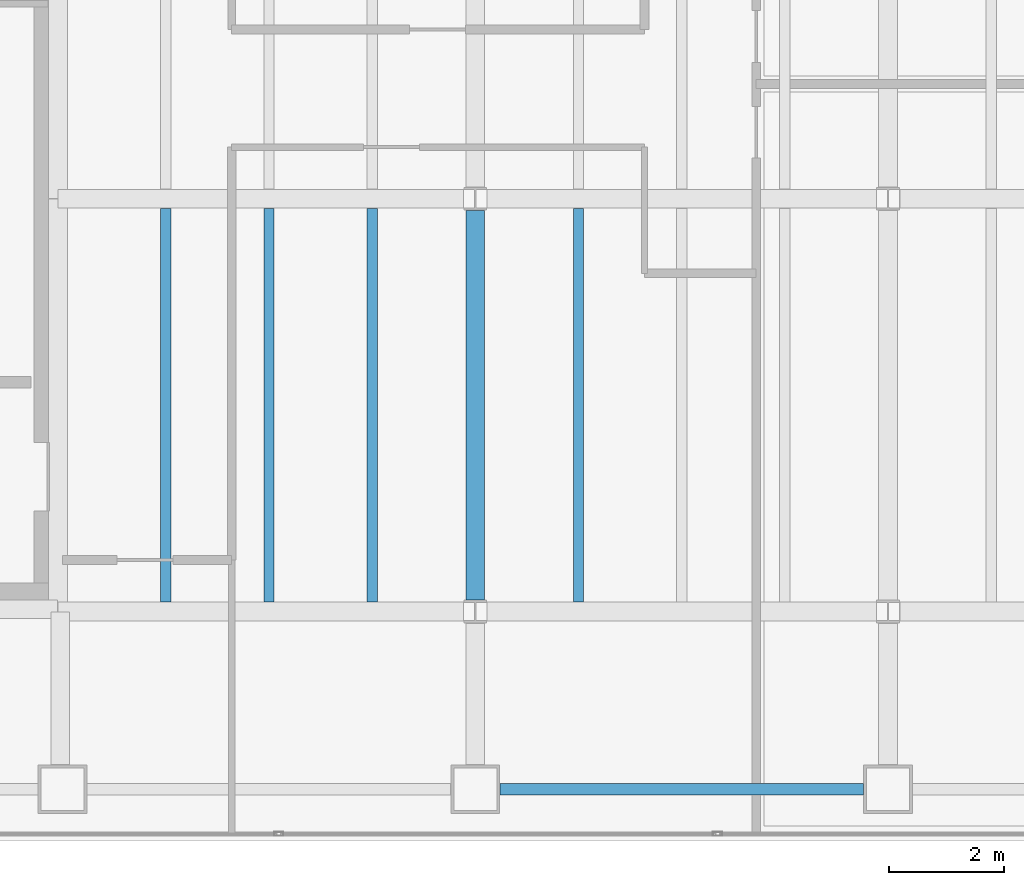
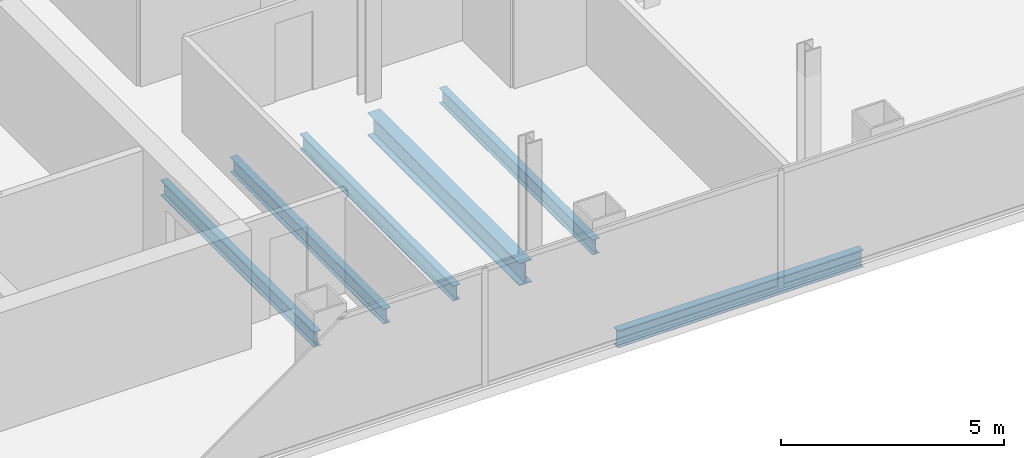
# One storey, part 5 of 23: 6 beams.
"""IFC4 building model written with IfcOpenShell, lengths in metres."""

from ifc_helpers import new_model, si_unit, direction, frame, origin, origin_2d, place, context, subcontext, project, spatial, i_section, extrude, material, material_profile, profile_set, type_object, element, save


model = new_model("IFC4")

# Units and contexts
model_context = context("Model", 3, precision=1e-05, world=origin(), true_north=direction((0.0, 1.0)))
body_context = subcontext(model_context, "Body", "Model", "MODEL_VIEW")
ifc_project = project(units=[si_unit("LENGTHUNIT", "METRE"), si_unit("AREAUNIT", "SQUARE_METRE"), si_unit("VOLUMEUNIT", "CUBIC_METRE"), si_unit("PLANEANGLEUNIT", "RADIAN"), si_unit("MASSUNIT", "GRAM", prefix="KILO")], contexts=[model_context])

# Site, building, storey
site_placement = place(None, origin())
site = spatial("IfcSite", under=ifc_project, at=site_placement, CompositionType="ELEMENT")
building_placement = place(site_placement, origin())
building = spatial("IfcBuilding", under=site, at=building_placement, Name="Cobrela Telecom Tower", CompositionType="ELEMENT")
storey_placement = place(building_placement, frame((0.0, 0.0, 176.75)))
storey = spatial("IfcBuildingStorey", under=building, at=storey_placement, Name="L44", CompositionType="ELEMENT", Elevation=176.75)

# Beams
ifc_material = material(Name="Steel ASTM A992 Grade 50", Category="steel")
ifc_material_profile_1 = material_profile(ifc_material, i_section(OverallWidth=0.327880859375, OverallDepth=0.6220703125, WebThickness=0.015380859375, FlangeThickness=0.0244140625, FilletRadius=0.014892578125, at=origin_2d()), Name="W24X131")
ifc_profile_set_1 = profile_set([ifc_material_profile_1], Name="Steel ASTM A992 Grade 50")
beam_type_1 = type_object("IfcBeamType", Name="BM-GIRD-06", PredefinedType="USERDEFINED", material=ifc_profile_set_1)
beam_1_placement = place(storey_placement, frame((21.60009765625, 7.404541015625, -0.571044921875), z_axis=(0.0, 1.0, 0.0), x_axis=(-1.0, 0.0, 0.0)))
element("IfcBeam", 1, at=beam_1_placement, inside=storey, type_object=beam_type_1, Name="L44 Primary Girder Y33", ObjectType="GIRDER", PredefinedType="USERDEFINED", context=body_context, shape_type="SweptSolid", body=[
    extrude(i_section(OverallWidth=0.327880859375, OverallDepth=0.6220703125, WebThickness=0.015380859375, FlangeThickness=0.0244140625, FilletRadius=0.014892578125, at=origin_2d()), origin(), (0.0, 0.0, 1.0), 6.791015625),
])
ifc_material_profile_2 = material_profile(ifc_material, i_section(OverallWidth=0.179931640625, OverallDepth=0.4169921875, WebThickness=0.010986328125, FlangeThickness=0.01806640625, FilletRadius=0.011962890625, at=origin_2d()), Name="W16X57")
ifc_profile_set_2 = profile_set([ifc_material_profile_2], Name="Steel ASTM A992 Grade 50")
beam_type_2 = type_object("IfcBeamType", Name="BM-JOIST-04", PredefinedType="JOIST", material=ifc_profile_set_2)
for number, where, z_axis, x_axis, name in (
    (2, (16.199951171875, 7.368896484375, -0.468505859375), (0.0, 1.0, 0.0), (-1.0, 0.0, 0.0), "L44 Secondary Composite Floor Beam J01"),
    (3, (18.0, 7.368896484375, -0.468505859375), (0.0, 1.0, 0.0), (-1.0, 0.0, 0.0), "L44 Secondary Composite Floor Beam J05"),
    (4, (19.800048828125, 7.368896484375, -0.468505859375), (0.0, 1.0, 0.0), (-1.0, 0.0, 0.0), "L44 Secondary Composite Floor Beam J09"),
    (5, (23.39990234375, 7.368896484375, -0.468505859375), (0.0, 1.0, 0.0), (-1.0, 0.0, 0.0), "L44 Secondary Composite Floor Beam J13"),
):
    element("IfcBeam", number, at=place(storey_placement, frame(where, z_axis=z_axis, x_axis=x_axis)), inside=storey, type_object=beam_type_2, Name=name, PredefinedType="JOIST", context=body_context, shape_type="SweptSolid", body=[
        extrude(i_section(OverallWidth=0.179931640625, OverallDepth=0.4169921875, WebThickness=0.010986328125, FlangeThickness=0.01806640625, FilletRadius=0.011962890625, at=origin_2d()), origin(), (0.0, 0.0, 1.0), 6.862060546875),
    ])
ifc_material_profile_3 = material_profile(ifc_material, i_section(OverallWidth=0.193115234375, OverallDepth=0.467041015625, WebThickness=0.011474609375, FlangeThickness=0.01904296875, FilletRadius=0.012939453125, at=origin_2d()), Name="W18X65")
ifc_profile_set_3 = profile_set([ifc_material_profile_3], Name="Steel ASTM A992 Grade 50")
beam_type_3 = type_object("IfcBeamType", Name="BM-SPAND-05", PredefinedType="SPANDREL", material=ifc_profile_set_3)
beam_2_placement = place(storey_placement, frame((22.030029296875, 4.10009765625, -0.493408203125), z_axis=(1.0, 0.0, 0.0), x_axis=(0.0, 1.0, 0.0)))
element("IfcBeam", 6, at=beam_2_placement, inside=storey, type_object=beam_type_3, Name="L44 Perimeter Spandrel X03", PredefinedType="SPANDREL", context=body_context, shape_type="SweptSolid", body=[
    extrude(i_section(OverallWidth=0.193115234375, OverallDepth=0.467041015625, WebThickness=0.011474609375, FlangeThickness=0.01904296875, FilletRadius=0.012939453125, at=origin_2d()), origin(), (0.0, 0.0, 1.0), 6.340087890625),
])

save(model, "model.ifc")
